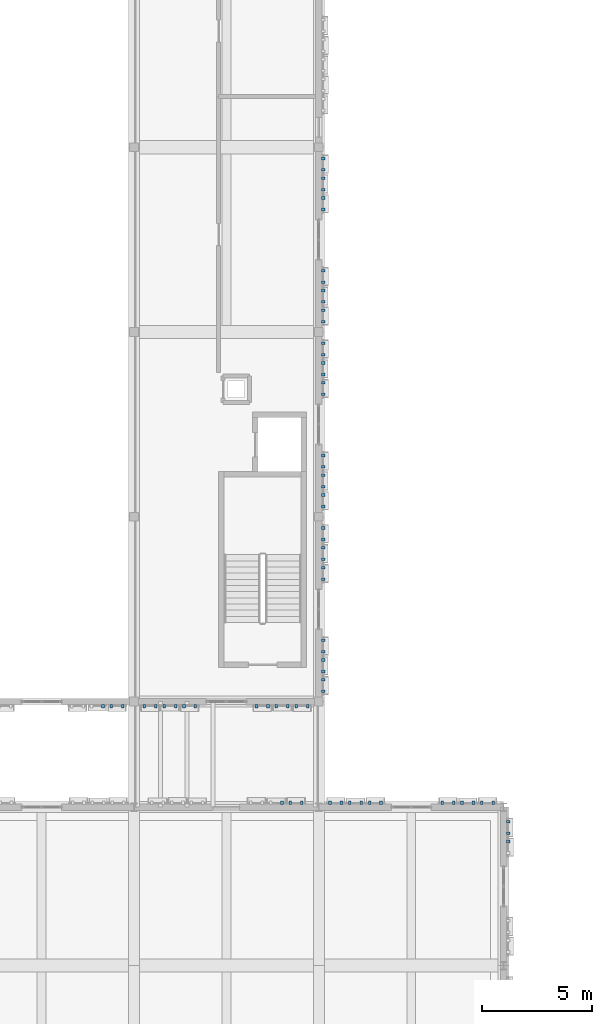
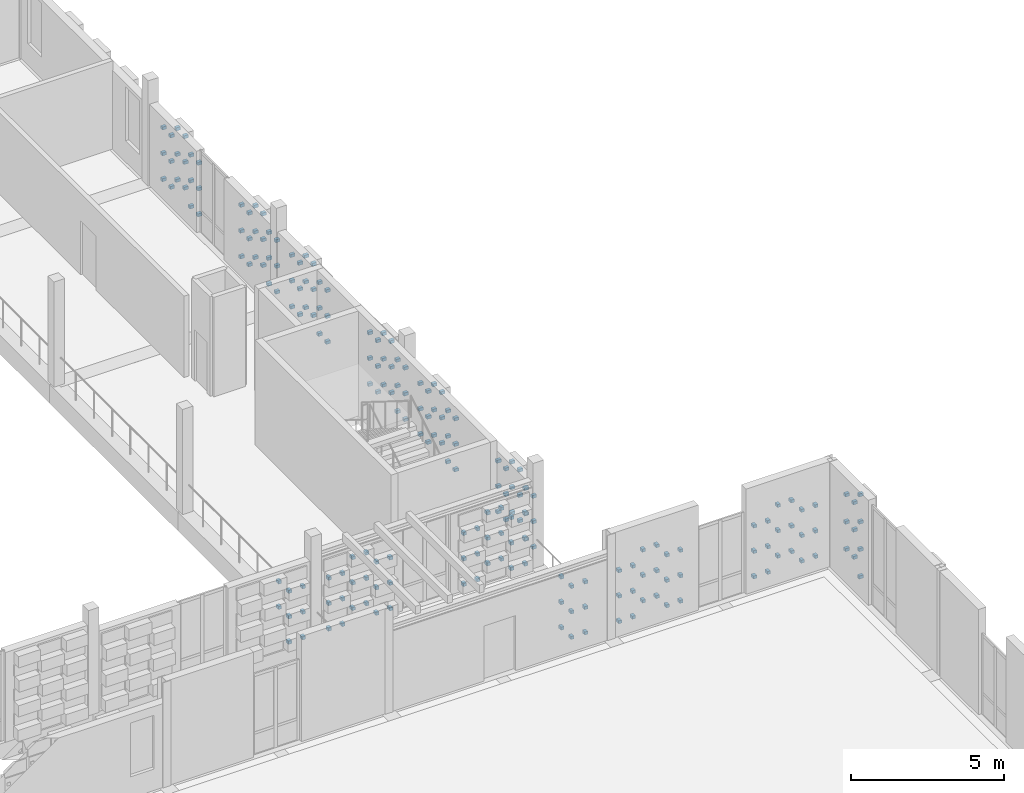
# One storey, part 82 of 99: 207 discrete accessories.
"""IFC4 building model written with IfcOpenShell, lengths in metres."""

from ifc_helpers import new_model, si_unit, direction, frame, origin, origin_2d, place, context, subcontext, project, spatial, rectangle, extrude, material, type_object, element, save


model = new_model("IFC4")

# Units and contexts
model_context = context("Model", 3, precision=1e-05, world=origin(), true_north=direction((0.0, 1.0)))
body_context = subcontext(model_context, "Body", "Model", "MODEL_VIEW")
ifc_project = project(units=[si_unit("LENGTHUNIT", "METRE"), si_unit("AREAUNIT", "SQUARE_METRE"), si_unit("VOLUMEUNIT", "CUBIC_METRE"), si_unit("PLANEANGLEUNIT", "RADIAN"), si_unit("MASSUNIT", "GRAM", prefix="KILO")], contexts=[model_context])

# Site, building, storey
site_placement = place(None, origin())
site = spatial("IfcSite", under=ifc_project, at=site_placement, CompositionType="ELEMENT")
building_placement = place(site_placement, origin())
building = spatial("IfcBuilding", under=site, at=building_placement, Name="Kahlenmark Community Centre", CompositionType="ELEMENT")
storey_placement = place(building_placement, frame((0.0, 0.0, 5.39990234375)))
storey = spatial("IfcBuildingStorey", under=building, at=storey_placement, Name="L01", CompositionType="ELEMENT", Elevation=5.39990234375)

# Discrete accessories
ifc_material = material(Name="Stainless steel 1.4401 rainscreen bracket", Category="steel")
discrete_accessory_type = type_object("IfcDiscreteAccessoryType", Name="DAT-BRACKET-TC", PredefinedType="BRACKET", material=ifc_material)
for number, where, z_axis, x_axis, name in (
    (1, (36.830078125, 37.81005859375, 0.27392578125), (0.0, 0.0, 1.0), (-1.0, 0.0, 0.0), "Terracotta cassette bracket 0277.1"),
    (2, (36.31005859375, 37.81005859375, 0.27392578125), (0.0, 0.0, 1.0), (-1.0, 0.0, 0.0), "Terracotta cassette bracket 0277.2"),
    (3, (36.830078125, 37.81005859375, 1.2900390625), (0.0, 0.0, 1.0), (-1.0, 0.0, 0.0), "Terracotta cassette bracket 0279.1"),
    (4, (36.31005859375, 37.81005859375, 1.2900390625), (0.0, 0.0, 1.0), (-1.0, 0.0, 0.0), "Terracotta cassette bracket 0279.2"),
    (5, (36.830078125, 37.81005859375, 2.30615234375), (0.0, 0.0, 1.0), (-1.0, 0.0, 0.0), "Terracotta cassette bracket 0281.1"),
    (6, (36.31005859375, 37.81005859375, 2.30615234375), (0.0, 0.0, 1.0), (-1.0, 0.0, 0.0), "Terracotta cassette bracket 0281.2"),
    (7, (35.929931640625, 37.81005859375, 0.781982421875), (0.0, 0.0, 1.0), (-1.0, 0.0, 0.0), "Terracotta cassette bracket 0284.1"),
    (8, (35.929931640625, 37.81005859375, 1.798095703125), (0.0, 0.0, 1.0), (-1.0, 0.0, 0.0), "Terracotta cassette bracket 0286.1"),
    (9, (35.929931640625, 37.81005859375, 2.81396484375), (0.0, 0.0, 1.0), (-1.0, 0.0, 0.0), "Terracotta cassette bracket 0288.1"),
    (10, (45.530029296875, 37.81005859375, 0.27392578125), (0.0, 0.0, 1.0), (-1.0, 0.0, 0.0), "Terracotta cassette bracket 0313.1"),
    (11, (45.010009765625, 37.81005859375, 0.27392578125), (0.0, 0.0, 1.0), (-1.0, 0.0, 0.0), "Terracotta cassette bracket 0313.2"),
    (12, (45.530029296875, 37.81005859375, 1.2900390625), (0.0, 0.0, 1.0), (-1.0, 0.0, 0.0), "Terracotta cassette bracket 0315.1"),
    (13, (45.010009765625, 37.81005859375, 1.2900390625), (0.0, 0.0, 1.0), (-1.0, 0.0, 0.0), "Terracotta cassette bracket 0315.2"),
    (14, (45.530029296875, 37.81005859375, 2.30615234375), (0.0, 0.0, 1.0), (-1.0, 0.0, 0.0), "Terracotta cassette bracket 0317.1"),
    (15, (45.010009765625, 37.81005859375, 2.30615234375), (0.0, 0.0, 1.0), (-1.0, 0.0, 0.0), "Terracotta cassette bracket 0317.2"),
    (16, (44.6298828125, 37.81005859375, 0.781982421875), (0.0, 0.0, 1.0), (-1.0, 0.0, 0.0), "Terracotta cassette bracket 0320.1"),
    (17, (44.110107421875, 37.81005859375, 0.781982421875), (0.0, 0.0, 1.0), (-1.0, 0.0, 0.0), "Terracotta cassette bracket 0320.2"),
    (18, (44.6298828125, 37.81005859375, 1.798095703125), (0.0, 0.0, 1.0), (-1.0, 0.0, 0.0), "Terracotta cassette bracket 0322.1"),
    (19, (44.110107421875, 37.81005859375, 1.798095703125), (0.0, 0.0, 1.0), (-1.0, 0.0, 0.0), "Terracotta cassette bracket 0322.2"),
    (20, (44.6298828125, 37.81005859375, 2.81396484375), (0.0, 0.0, 1.0), (-1.0, 0.0, 0.0), "Terracotta cassette bracket 0324.1"),
    (21, (44.110107421875, 37.81005859375, 2.81396484375), (0.0, 0.0, 1.0), (-1.0, 0.0, 0.0), "Terracotta cassette bracket 0324.2"),
    (22, (43.72998046875, 37.81005859375, 0.27392578125), (0.0, 0.0, 1.0), (-1.0, 0.0, 0.0), "Terracotta cassette bracket 0325.1"),
    (23, (43.2099609375, 37.81005859375, 0.27392578125), (0.0, 0.0, 1.0), (-1.0, 0.0, 0.0), "Terracotta cassette bracket 0325.2"),
    (24, (43.72998046875, 37.81005859375, 1.2900390625), (0.0, 0.0, 1.0), (-1.0, 0.0, 0.0), "Terracotta cassette bracket 0327.1"),
    (25, (43.2099609375, 37.81005859375, 1.2900390625), (0.0, 0.0, 1.0), (-1.0, 0.0, 0.0), "Terracotta cassette bracket 0327.2"),
    (26, (43.72998046875, 37.81005859375, 2.30615234375), (0.0, 0.0, 1.0), (-1.0, 0.0, 0.0), "Terracotta cassette bracket 0329.1"),
    (27, (43.2099609375, 37.81005859375, 2.30615234375), (0.0, 0.0, 1.0), (-1.0, 0.0, 0.0), "Terracotta cassette bracket 0329.2"),
    (28, (40.429931640625, 37.81005859375, 0.27392578125), (0.0, 0.0, 1.0), (-1.0, 0.0, 0.0), "Terracotta cassette bracket 0331.1"),
    (29, (39.909912109375, 37.81005859375, 0.27392578125), (0.0, 0.0, 1.0), (-1.0, 0.0, 0.0), "Terracotta cassette bracket 0331.2"),
    (30, (40.429931640625, 37.81005859375, 1.2900390625), (0.0, 0.0, 1.0), (-1.0, 0.0, 0.0), "Terracotta cassette bracket 0333.1"),
    (31, (39.909912109375, 37.81005859375, 1.2900390625), (0.0, 0.0, 1.0), (-1.0, 0.0, 0.0), "Terracotta cassette bracket 0333.2"),
    (32, (40.429931640625, 37.81005859375, 2.30615234375), (0.0, 0.0, 1.0), (-1.0, 0.0, 0.0), "Terracotta cassette bracket 0335.1"),
    (33, (39.909912109375, 37.81005859375, 2.30615234375), (0.0, 0.0, 1.0), (-1.0, 0.0, 0.0), "Terracotta cassette bracket 0335.2"),
    (34, (39.530029296875, 37.81005859375, 0.781982421875), (0.0, 0.0, 1.0), (-1.0, 0.0, 0.0), "Terracotta cassette bracket 0338.1"),
    (35, (39.010009765625, 37.81005859375, 0.781982421875), (0.0, 0.0, 1.0), (-1.0, 0.0, 0.0), "Terracotta cassette bracket 0338.2"),
    (36, (39.530029296875, 37.81005859375, 1.798095703125), (0.0, 0.0, 1.0), (-1.0, 0.0, 0.0), "Terracotta cassette bracket 0340.1"),
    (37, (39.010009765625, 37.81005859375, 1.798095703125), (0.0, 0.0, 1.0), (-1.0, 0.0, 0.0), "Terracotta cassette bracket 0340.2"),
    (38, (39.530029296875, 37.81005859375, 2.81396484375), (0.0, 0.0, 1.0), (-1.0, 0.0, 0.0), "Terracotta cassette bracket 0342.1"),
    (39, (39.010009765625, 37.81005859375, 2.81396484375), (0.0, 0.0, 1.0), (-1.0, 0.0, 0.0), "Terracotta cassette bracket 0342.2"),
    (40, (38.6298828125, 37.81005859375, 0.27392578125), (0.0, 0.0, 1.0), (-1.0, 0.0, 0.0), "Terracotta cassette bracket 0343.1"),
    (41, (38.110107421875, 37.81005859375, 0.27392578125), (0.0, 0.0, 1.0), (-1.0, 0.0, 0.0), "Terracotta cassette bracket 0343.2"),
    (42, (38.6298828125, 37.81005859375, 1.2900390625), (0.0, 0.0, 1.0), (-1.0, 0.0, 0.0), "Terracotta cassette bracket 0345.1"),
    (43, (38.110107421875, 37.81005859375, 1.2900390625), (0.0, 0.0, 1.0), (-1.0, 0.0, 0.0), "Terracotta cassette bracket 0345.2"),
    (44, (38.6298828125, 37.81005859375, 2.30615234375), (0.0, 0.0, 1.0), (-1.0, 0.0, 0.0), "Terracotta cassette bracket 0347.1"),
    (45, (38.110107421875, 37.81005859375, 2.30615234375), (0.0, 0.0, 1.0), (-1.0, 0.0, 0.0), "Terracotta cassette bracket 0347.2"),
    (46, (46.2099609375, 36.0400390625, 0.29296875), (0.0, 0.0, 1.0), (0.0, 1.0, 0.0), "Terracotta cassette bracket 0471.2"),
    (47, (46.2099609375, 36.0400390625, 1.385009765625), (0.0, 0.0, 1.0), (0.0, 1.0, 0.0), "Terracotta cassette bracket 0473.2"),
    (48, (46.2099609375, 36.0400390625, 2.47705078125), (0.0, 0.0, 1.0), (0.0, 1.0, 0.0), "Terracotta cassette bracket 0475.2"),
    (49, (46.2099609375, 36.0400390625, 3.569091796875), (0.0, 0.0, 1.0), (0.0, 1.0, 0.0), "Terracotta cassette bracket 0477.2"),
    (50, (46.2099609375, 36.419921875, 0.839111328125), (0.0, 0.0, 1.0), (0.0, 1.0, 0.0), "Terracotta cassette bracket 0479.1"),
    (51, (46.2099609375, 36.93994140625, 0.839111328125), (0.0, 0.0, 1.0), (0.0, 1.0, 0.0), "Terracotta cassette bracket 0479.2"),
    (52, (46.2099609375, 36.419921875, 1.93115234375), (0.0, 0.0, 1.0), (0.0, 1.0, 0.0), "Terracotta cassette bracket 0481.1"),
    (53, (46.2099609375, 36.93994140625, 1.93115234375), (0.0, 0.0, 1.0), (0.0, 1.0, 0.0), "Terracotta cassette bracket 0481.2"),
    (54, (46.2099609375, 36.419921875, 3.02294921875), (0.0, 0.0, 1.0), (0.0, 1.0, 0.0), "Terracotta cassette bracket 0483.1"),
    (55, (46.2099609375, 36.93994140625, 3.02294921875), (0.0, 0.0, 1.0), (0.0, 1.0, 0.0), "Terracotta cassette bracket 0483.2"),
    (56, (27.7900390625, 42.18994140625, 1.798095703125), (0.0, 0.0, 1.0), (1.0, 0.0, 0.0), "Terracotta cassette bracket 0596.2"),
    (57, (27.7900390625, 42.18994140625, 2.81396484375), (0.0, 0.0, 1.0), (1.0, 0.0, 0.0), "Terracotta cassette bracket 0598.2"),
    (58, (28.169921875, 42.18994140625, 0.27392578125), (0.0, 0.0, 1.0), (1.0, 0.0, 0.0), "Terracotta cassette bracket 0599.1"),
    (59, (28.68994140625, 42.18994140625, 0.27392578125), (0.0, 0.0, 1.0), (1.0, 0.0, 0.0), "Terracotta cassette bracket 0599.2"),
    (60, (28.169921875, 42.18994140625, 1.2900390625), (0.0, 0.0, 1.0), (1.0, 0.0, 0.0), "Terracotta cassette bracket 0601.1"),
    (61, (28.68994140625, 42.18994140625, 1.2900390625), (0.0, 0.0, 1.0), (1.0, 0.0, 0.0), "Terracotta cassette bracket 0601.2"),
    (62, (28.169921875, 42.18994140625, 2.30615234375), (0.0, 0.0, 1.0), (1.0, 0.0, 0.0), "Terracotta cassette bracket 0603.1"),
    (63, (28.68994140625, 42.18994140625, 2.30615234375), (0.0, 0.0, 1.0), (1.0, 0.0, 0.0), "Terracotta cassette bracket 0603.2"),
    (64, (29.669921875, 42.18994140625, 0.27392578125), (0.0, 0.0, 1.0), (1.0, 0.0, 0.0), "Terracotta cassette bracket 0605.1"),
    (65, (30.18994140625, 42.18994140625, 0.27392578125), (0.0, 0.0, 1.0), (1.0, 0.0, 0.0), "Terracotta cassette bracket 0605.2"),
    (66, (29.669921875, 42.18994140625, 1.2900390625), (0.0, 0.0, 1.0), (1.0, 0.0, 0.0), "Terracotta cassette bracket 0607.1"),
    (67, (30.18994140625, 42.18994140625, 1.2900390625), (0.0, 0.0, 1.0), (1.0, 0.0, 0.0), "Terracotta cassette bracket 0607.2"),
    (68, (29.669921875, 42.18994140625, 2.30615234375), (0.0, 0.0, 1.0), (1.0, 0.0, 0.0), "Terracotta cassette bracket 0609.1"),
    (69, (30.18994140625, 42.18994140625, 2.30615234375), (0.0, 0.0, 1.0), (1.0, 0.0, 0.0), "Terracotta cassette bracket 0609.2"),
    (70, (30.570068359375, 42.18994140625, 0.781982421875), (0.0, 0.0, 1.0), (1.0, 0.0, 0.0), "Terracotta cassette bracket 0612.1"),
    (71, (31.090087890625, 42.18994140625, 0.781982421875), (0.0, 0.0, 1.0), (1.0, 0.0, 0.0), "Terracotta cassette bracket 0612.2"),
    (72, (30.570068359375, 42.18994140625, 1.798095703125), (0.0, 0.0, 1.0), (1.0, 0.0, 0.0), "Terracotta cassette bracket 0614.1"),
    (73, (31.090087890625, 42.18994140625, 1.798095703125), (0.0, 0.0, 1.0), (1.0, 0.0, 0.0), "Terracotta cassette bracket 0614.2"),
    (74, (30.570068359375, 42.18994140625, 2.81396484375), (0.0, 0.0, 1.0), (1.0, 0.0, 0.0), "Terracotta cassette bracket 0616.1"),
    (75, (31.090087890625, 42.18994140625, 2.81396484375), (0.0, 0.0, 1.0), (1.0, 0.0, 0.0), "Terracotta cassette bracket 0616.2"),
    (76, (31.469970703125, 42.18994140625, 0.27392578125), (0.0, 0.0, 1.0), (1.0, 0.0, 0.0), "Terracotta cassette bracket 0617.1"),
    (77, (31.989990234375, 42.18994140625, 0.27392578125), (0.0, 0.0, 1.0), (1.0, 0.0, 0.0), "Terracotta cassette bracket 0617.2"),
    (78, (31.469970703125, 42.18994140625, 1.2900390625), (0.0, 0.0, 1.0), (1.0, 0.0, 0.0), "Terracotta cassette bracket 0619.1"),
    (79, (31.989990234375, 42.18994140625, 1.2900390625), (0.0, 0.0, 1.0), (1.0, 0.0, 0.0), "Terracotta cassette bracket 0619.2"),
    (80, (31.469970703125, 42.18994140625, 2.30615234375), (0.0, 0.0, 1.0), (1.0, 0.0, 0.0), "Terracotta cassette bracket 0621.1"),
    (81, (31.989990234375, 42.18994140625, 2.30615234375), (0.0, 0.0, 1.0), (1.0, 0.0, 0.0), "Terracotta cassette bracket 0621.2"),
    (82, (34.77001953125, 42.18994140625, 0.27392578125), (0.0, 0.0, 1.0), (1.0, 0.0, 0.0), "Terracotta cassette bracket 0623.1"),
    (83, (35.2900390625, 42.18994140625, 0.27392578125), (0.0, 0.0, 1.0), (1.0, 0.0, 0.0), "Terracotta cassette bracket 0623.2"),
    (84, (34.77001953125, 42.18994140625, 1.2900390625), (0.0, 0.0, 1.0), (1.0, 0.0, 0.0), "Terracotta cassette bracket 0625.1"),
    (85, (35.2900390625, 42.18994140625, 1.2900390625), (0.0, 0.0, 1.0), (1.0, 0.0, 0.0), "Terracotta cassette bracket 0625.2"),
    (86, (34.77001953125, 42.18994140625, 2.30615234375), (0.0, 0.0, 1.0), (1.0, 0.0, 0.0), "Terracotta cassette bracket 0627.1"),
    (87, (35.2900390625, 42.18994140625, 2.30615234375), (0.0, 0.0, 1.0), (1.0, 0.0, 0.0), "Terracotta cassette bracket 0627.2"),
    (88, (35.669921875, 42.18994140625, 0.781982421875), (0.0, 0.0, 1.0), (1.0, 0.0, 0.0), "Terracotta cassette bracket 0630.1"),
    (89, (36.18994140625, 42.18994140625, 0.781982421875), (0.0, 0.0, 1.0), (1.0, 0.0, 0.0), "Terracotta cassette bracket 0630.2"),
    (90, (35.669921875, 42.18994140625, 1.798095703125), (0.0, 0.0, 1.0), (1.0, 0.0, 0.0), "Terracotta cassette bracket 0632.1"),
    (91, (36.18994140625, 42.18994140625, 1.798095703125), (0.0, 0.0, 1.0), (1.0, 0.0, 0.0), "Terracotta cassette bracket 0632.2"),
    (92, (35.669921875, 42.18994140625, 2.81396484375), (0.0, 0.0, 1.0), (1.0, 0.0, 0.0), "Terracotta cassette bracket 0634.1"),
    (93, (36.18994140625, 42.18994140625, 2.81396484375), (0.0, 0.0, 1.0), (1.0, 0.0, 0.0), "Terracotta cassette bracket 0634.2"),
    (94, (36.570068359375, 42.18994140625, 0.27392578125), (0.0, 0.0, 1.0), (1.0, 0.0, 0.0), "Terracotta cassette bracket 0635.1"),
    (95, (37.090087890625, 42.18994140625, 0.27392578125), (0.0, 0.0, 1.0), (1.0, 0.0, 0.0), "Terracotta cassette bracket 0635.2"),
    (96, (36.570068359375, 42.18994140625, 1.2900390625), (0.0, 0.0, 1.0), (1.0, 0.0, 0.0), "Terracotta cassette bracket 0637.1"),
    (97, (37.090087890625, 42.18994140625, 1.2900390625), (0.0, 0.0, 1.0), (1.0, 0.0, 0.0), "Terracotta cassette bracket 0637.2"),
    (98, (36.570068359375, 42.18994140625, 2.30615234375), (0.0, 0.0, 1.0), (1.0, 0.0, 0.0), "Terracotta cassette bracket 0639.1"),
    (99, (37.090087890625, 42.18994140625, 2.30615234375), (0.0, 0.0, 1.0), (1.0, 0.0, 0.0), "Terracotta cassette bracket 0639.2"),
    (100, (37.81005859375, 42.8701171875, 0.27392578125), (0.0, 0.0, 1.0), (0.0, 1.0, 0.0), "Terracotta cassette bracket 0797.1"),
    (101, (37.81005859375, 43.389892578125, 0.27392578125), (0.0, 0.0, 1.0), (0.0, 1.0, 0.0), "Terracotta cassette bracket 0797.2"),
    (102, (37.81005859375, 42.8701171875, 1.2900390625), (0.0, 0.0, 1.0), (0.0, 1.0, 0.0), "Terracotta cassette bracket 0799.1"),
    (103, (37.81005859375, 43.389892578125, 1.2900390625), (0.0, 0.0, 1.0), (0.0, 1.0, 0.0), "Terracotta cassette bracket 0799.2"),
    (104, (37.81005859375, 42.8701171875, 2.30615234375), (0.0, 0.0, 1.0), (0.0, 1.0, 0.0), "Terracotta cassette bracket 0801.1"),
    (105, (37.81005859375, 43.389892578125, 2.30615234375), (0.0, 0.0, 1.0), (0.0, 1.0, 0.0), "Terracotta cassette bracket 0801.2"),
    (106, (37.81005859375, 43.77001953125, 0.781982421875), (0.0, 0.0, 1.0), (0.0, 1.0, 0.0), "Terracotta cassette bracket 0804.1"),
    (107, (37.81005859375, 44.2900390625, 0.781982421875), (0.0, 0.0, 1.0), (0.0, 1.0, 0.0), "Terracotta cassette bracket 0804.2"),
    (108, (37.81005859375, 43.77001953125, 1.798095703125), (0.0, 0.0, 1.0), (0.0, 1.0, 0.0), "Terracotta cassette bracket 0806.1"),
    (109, (37.81005859375, 44.2900390625, 1.798095703125), (0.0, 0.0, 1.0), (0.0, 1.0, 0.0), "Terracotta cassette bracket 0806.2"),
    (110, (37.81005859375, 43.77001953125, 2.81396484375), (0.0, 0.0, 1.0), (0.0, 1.0, 0.0), "Terracotta cassette bracket 0808.1"),
    (111, (37.81005859375, 44.2900390625, 2.81396484375), (0.0, 0.0, 1.0), (0.0, 1.0, 0.0), "Terracotta cassette bracket 0808.2"),
    (112, (37.81005859375, 44.669921875, 0.27392578125), (0.0, 0.0, 1.0), (0.0, 1.0, 0.0), "Terracotta cassette bracket 0809.1"),
    (113, (37.81005859375, 45.18994140625, 0.27392578125), (0.0, 0.0, 1.0), (0.0, 1.0, 0.0), "Terracotta cassette bracket 0809.2"),
    (114, (37.81005859375, 44.669921875, 1.2900390625), (0.0, 0.0, 1.0), (0.0, 1.0, 0.0), "Terracotta cassette bracket 0811.1"),
    (115, (37.81005859375, 45.18994140625, 1.2900390625), (0.0, 0.0, 1.0), (0.0, 1.0, 0.0), "Terracotta cassette bracket 0811.2"),
    (116, (37.81005859375, 44.669921875, 2.30615234375), (0.0, 0.0, 1.0), (0.0, 1.0, 0.0), "Terracotta cassette bracket 0813.1"),
    (117, (37.81005859375, 45.18994140625, 2.30615234375), (0.0, 0.0, 1.0), (0.0, 1.0, 0.0), "Terracotta cassette bracket 0813.2"),
    (118, (37.81005859375, 47.969970703125, 0.27392578125), (0.0, 0.0, 1.0), (0.0, 1.0, 0.0), "Terracotta cassette bracket 0815.1"),
    (119, (37.81005859375, 48.489990234375, 0.27392578125), (0.0, 0.0, 1.0), (0.0, 1.0, 0.0), "Terracotta cassette bracket 0815.2"),
    (120, (37.81005859375, 47.969970703125, 1.2900390625), (0.0, 0.0, 1.0), (0.0, 1.0, 0.0), "Terracotta cassette bracket 0817.1"),
    (121, (37.81005859375, 48.489990234375, 1.2900390625), (0.0, 0.0, 1.0), (0.0, 1.0, 0.0), "Terracotta cassette bracket 0817.2"),
    (122, (37.81005859375, 47.969970703125, 2.30615234375), (0.0, 0.0, 1.0), (0.0, 1.0, 0.0), "Terracotta cassette bracket 0819.1"),
    (123, (37.81005859375, 48.489990234375, 2.30615234375), (0.0, 0.0, 1.0), (0.0, 1.0, 0.0), "Terracotta cassette bracket 0819.2"),
    (124, (37.81005859375, 48.8701171875, 0.781982421875), (0.0, 0.0, 1.0), (0.0, 1.0, 0.0), "Terracotta cassette bracket 0822.1"),
    (125, (37.81005859375, 49.389892578125, 0.781982421875), (0.0, 0.0, 1.0), (0.0, 1.0, 0.0), "Terracotta cassette bracket 0822.2"),
    (126, (37.81005859375, 48.8701171875, 1.798095703125), (0.0, 0.0, 1.0), (0.0, 1.0, 0.0), "Terracotta cassette bracket 0824.1"),
    (127, (37.81005859375, 49.389892578125, 1.798095703125), (0.0, 0.0, 1.0), (0.0, 1.0, 0.0), "Terracotta cassette bracket 0824.2"),
    (128, (37.81005859375, 48.8701171875, 2.81396484375), (0.0, 0.0, 1.0), (0.0, 1.0, 0.0), "Terracotta cassette bracket 0826.1"),
    (129, (37.81005859375, 49.389892578125, 2.81396484375), (0.0, 0.0, 1.0), (0.0, 1.0, 0.0), "Terracotta cassette bracket 0826.2"),
    (130, (37.81005859375, 49.77001953125, 0.27392578125), (0.0, 0.0, 1.0), (0.0, 1.0, 0.0), "Terracotta cassette bracket 0827.1"),
    (131, (37.81005859375, 50.2900390625, 0.27392578125), (0.0, 0.0, 1.0), (0.0, 1.0, 0.0), "Terracotta cassette bracket 0827.2"),
    (132, (37.81005859375, 49.77001953125, 1.2900390625), (0.0, 0.0, 1.0), (0.0, 1.0, 0.0), "Terracotta cassette bracket 0829.1"),
    (133, (37.81005859375, 50.2900390625, 1.2900390625), (0.0, 0.0, 1.0), (0.0, 1.0, 0.0), "Terracotta cassette bracket 0829.2"),
    (134, (37.81005859375, 49.77001953125, 2.30615234375), (0.0, 0.0, 1.0), (0.0, 1.0, 0.0), "Terracotta cassette bracket 0831.1"),
    (135, (37.81005859375, 50.2900390625, 2.30615234375), (0.0, 0.0, 1.0), (0.0, 1.0, 0.0), "Terracotta cassette bracket 0831.2"),
    (136, (37.81005859375, 51.27001953125, 0.277587890625), (0.0, 0.0, 1.0), (0.0, 1.0, 0.0), "Terracotta cassette bracket 0833.1"),
    (137, (37.81005859375, 51.7900390625, 0.277587890625), (0.0, 0.0, 1.0), (0.0, 1.0, 0.0), "Terracotta cassette bracket 0833.2"),
    (138, (37.81005859375, 51.27001953125, 1.3076171875), (0.0, 0.0, 1.0), (0.0, 1.0, 0.0), "Terracotta cassette bracket 0835.1"),
    (139, (37.81005859375, 51.7900390625, 1.3076171875), (0.0, 0.0, 1.0), (0.0, 1.0, 0.0), "Terracotta cassette bracket 0835.2"),
    (140, (37.81005859375, 51.27001953125, 2.337646484375), (0.0, 0.0, 1.0), (0.0, 1.0, 0.0), "Terracotta cassette bracket 0837.1"),
    (141, (37.81005859375, 51.7900390625, 2.337646484375), (0.0, 0.0, 1.0), (0.0, 1.0, 0.0), "Terracotta cassette bracket 0837.2"),
    (142, (37.81005859375, 52.169921875, 0.79248046875), (0.0, 0.0, 1.0), (0.0, 1.0, 0.0), "Terracotta cassette bracket 0840.1"),
    (143, (37.81005859375, 52.68994140625, 0.79248046875), (0.0, 0.0, 1.0), (0.0, 1.0, 0.0), "Terracotta cassette bracket 0840.2"),
    (144, (37.81005859375, 52.169921875, 1.822509765625), (0.0, 0.0, 1.0), (0.0, 1.0, 0.0), "Terracotta cassette bracket 0842.1"),
    (145, (37.81005859375, 52.68994140625, 1.822509765625), (0.0, 0.0, 1.0), (0.0, 1.0, 0.0), "Terracotta cassette bracket 0842.2"),
    (146, (37.81005859375, 52.169921875, 2.8525390625), (0.0, 0.0, 1.0), (0.0, 1.0, 0.0), "Terracotta cassette bracket 0844.1"),
    (147, (37.81005859375, 52.68994140625, 2.8525390625), (0.0, 0.0, 1.0), (0.0, 1.0, 0.0), "Terracotta cassette bracket 0844.2"),
    (148, (37.81005859375, 53.070068359375, 0.277587890625), (0.0, 0.0, 1.0), (0.0, 1.0, 0.0), "Terracotta cassette bracket 0845.1"),
    (149, (37.81005859375, 53.590087890625, 0.277587890625), (0.0, 0.0, 1.0), (0.0, 1.0, 0.0), "Terracotta cassette bracket 0845.2"),
    (150, (37.81005859375, 53.070068359375, 1.3076171875), (0.0, 0.0, 1.0), (0.0, 1.0, 0.0), "Terracotta cassette bracket 0847.1"),
    (151, (37.81005859375, 53.590087890625, 1.3076171875), (0.0, 0.0, 1.0), (0.0, 1.0, 0.0), "Terracotta cassette bracket 0847.2"),
    (152, (37.81005859375, 53.070068359375, 2.337646484375), (0.0, 0.0, 1.0), (0.0, 1.0, 0.0), "Terracotta cassette bracket 0849.1"),
    (153, (37.81005859375, 53.590087890625, 2.337646484375), (0.0, 0.0, 1.0), (0.0, 1.0, 0.0), "Terracotta cassette bracket 0849.2"),
    (154, (37.81005859375, 56.3701171875, 0.277587890625), (0.0, 0.0, 1.0), (0.0, 1.0, 0.0), "Terracotta cassette bracket 0851.1"),
    (155, (37.81005859375, 56.889892578125, 0.277587890625), (0.0, 0.0, 1.0), (0.0, 1.0, 0.0), "Terracotta cassette bracket 0851.2"),
    (156, (37.81005859375, 56.3701171875, 1.3076171875), (0.0, 0.0, 1.0), (0.0, 1.0, 0.0), "Terracotta cassette bracket 0853.1"),
    (157, (37.81005859375, 56.889892578125, 1.3076171875), (0.0, 0.0, 1.0), (0.0, 1.0, 0.0), "Terracotta cassette bracket 0853.2"),
    (158, (37.81005859375, 56.3701171875, 2.337646484375), (0.0, 0.0, 1.0), (0.0, 1.0, 0.0), "Terracotta cassette bracket 0855.1"),
    (159, (37.81005859375, 56.889892578125, 2.337646484375), (0.0, 0.0, 1.0), (0.0, 1.0, 0.0), "Terracotta cassette bracket 0855.2"),
    (160, (37.81005859375, 57.27001953125, 0.79248046875), (0.0, 0.0, 1.0), (0.0, 1.0, 0.0), "Terracotta cassette bracket 0858.1"),
    (161, (37.81005859375, 57.7900390625, 0.79248046875), (0.0, 0.0, 1.0), (0.0, 1.0, 0.0), "Terracotta cassette bracket 0858.2"),
    (162, (37.81005859375, 57.27001953125, 1.822509765625), (0.0, 0.0, 1.0), (0.0, 1.0, 0.0), "Terracotta cassette bracket 0860.1"),
    (163, (37.81005859375, 57.7900390625, 1.822509765625), (0.0, 0.0, 1.0), (0.0, 1.0, 0.0), "Terracotta cassette bracket 0860.2"),
    (164, (37.81005859375, 57.27001953125, 2.8525390625), (0.0, 0.0, 1.0), (0.0, 1.0, 0.0), "Terracotta cassette bracket 0862.1"),
    (165, (37.81005859375, 57.7900390625, 2.8525390625), (0.0, 0.0, 1.0), (0.0, 1.0, 0.0), "Terracotta cassette bracket 0862.2"),
    (166, (37.81005859375, 58.169921875, 0.277587890625), (0.0, 0.0, 1.0), (0.0, 1.0, 0.0), "Terracotta cassette bracket 0863.1"),
    (167, (37.81005859375, 58.68994140625, 0.277587890625), (0.0, 0.0, 1.0), (0.0, 1.0, 0.0), "Terracotta cassette bracket 0863.2"),
    (168, (37.81005859375, 58.169921875, 1.3076171875), (0.0, 0.0, 1.0), (0.0, 1.0, 0.0), "Terracotta cassette bracket 0865.1"),
    (169, (37.81005859375, 58.68994140625, 1.3076171875), (0.0, 0.0, 1.0), (0.0, 1.0, 0.0), "Terracotta cassette bracket 0865.2"),
    (170, (37.81005859375, 58.169921875, 2.337646484375), (0.0, 0.0, 1.0), (0.0, 1.0, 0.0), "Terracotta cassette bracket 0867.1"),
    (171, (37.81005859375, 58.68994140625, 2.337646484375), (0.0, 0.0, 1.0), (0.0, 1.0, 0.0), "Terracotta cassette bracket 0867.2"),
    (172, (37.81005859375, 59.669921875, 0.277587890625), (0.0, 0.0, 1.0), (0.0, 1.0, 0.0), "Terracotta cassette bracket 0869.1"),
    (173, (37.81005859375, 60.18994140625, 0.277587890625), (0.0, 0.0, 1.0), (0.0, 1.0, 0.0), "Terracotta cassette bracket 0869.2"),
    (174, (37.81005859375, 59.669921875, 1.3076171875), (0.0, 0.0, 1.0), (0.0, 1.0, 0.0), "Terracotta cassette bracket 0871.1"),
    (175, (37.81005859375, 60.18994140625, 1.3076171875), (0.0, 0.0, 1.0), (0.0, 1.0, 0.0), "Terracotta cassette bracket 0871.2"),
    (176, (37.81005859375, 59.669921875, 2.337646484375), (0.0, 0.0, 1.0), (0.0, 1.0, 0.0), "Terracotta cassette bracket 0873.1"),
    (177, (37.81005859375, 60.18994140625, 2.337646484375), (0.0, 0.0, 1.0), (0.0, 1.0, 0.0), "Terracotta cassette bracket 0873.2"),
    (178, (37.81005859375, 60.570068359375, 0.79248046875), (0.0, 0.0, 1.0), (0.0, 1.0, 0.0), "Terracotta cassette bracket 0876.1"),
    (179, (37.81005859375, 61.090087890625, 0.79248046875), (0.0, 0.0, 1.0), (0.0, 1.0, 0.0), "Terracotta cassette bracket 0876.2"),
    (180, (37.81005859375, 60.570068359375, 1.822509765625), (0.0, 0.0, 1.0), (0.0, 1.0, 0.0), "Terracotta cassette bracket 0878.1"),
    (181, (37.81005859375, 61.090087890625, 1.822509765625), (0.0, 0.0, 1.0), (0.0, 1.0, 0.0), "Terracotta cassette bracket 0878.2"),
    (182, (37.81005859375, 60.570068359375, 2.8525390625), (0.0, 0.0, 1.0), (0.0, 1.0, 0.0), "Terracotta cassette bracket 0880.1"),
    (183, (37.81005859375, 61.090087890625, 2.8525390625), (0.0, 0.0, 1.0), (0.0, 1.0, 0.0), "Terracotta cassette bracket 0880.2"),
    (184, (37.81005859375, 61.469970703125, 0.277587890625), (0.0, 0.0, 1.0), (0.0, 1.0, 0.0), "Terracotta cassette bracket 0881.1"),
    (185, (37.81005859375, 61.989990234375, 0.277587890625), (0.0, 0.0, 1.0), (0.0, 1.0, 0.0), "Terracotta cassette bracket 0881.2"),
    (186, (37.81005859375, 61.469970703125, 1.3076171875), (0.0, 0.0, 1.0), (0.0, 1.0, 0.0), "Terracotta cassette bracket 0883.1"),
    (187, (37.81005859375, 61.989990234375, 1.3076171875), (0.0, 0.0, 1.0), (0.0, 1.0, 0.0), "Terracotta cassette bracket 0883.2"),
    (188, (37.81005859375, 61.469970703125, 2.337646484375), (0.0, 0.0, 1.0), (0.0, 1.0, 0.0), "Terracotta cassette bracket 0885.1"),
    (189, (37.81005859375, 61.989990234375, 2.337646484375), (0.0, 0.0, 1.0), (0.0, 1.0, 0.0), "Terracotta cassette bracket 0885.2"),
    (190, (37.81005859375, 64.77001953125, 0.277587890625), (0.0, 0.0, 1.0), (0.0, 1.0, 0.0), "Terracotta cassette bracket 0887.1"),
    (191, (37.81005859375, 65.2900390625, 0.277587890625), (0.0, 0.0, 1.0), (0.0, 1.0, 0.0), "Terracotta cassette bracket 0887.2"),
    (192, (37.81005859375, 64.77001953125, 1.3076171875), (0.0, 0.0, 1.0), (0.0, 1.0, 0.0), "Terracotta cassette bracket 0889.1"),
    (193, (37.81005859375, 65.2900390625, 1.3076171875), (0.0, 0.0, 1.0), (0.0, 1.0, 0.0), "Terracotta cassette bracket 0889.2"),
    (194, (37.81005859375, 64.77001953125, 2.337646484375), (0.0, 0.0, 1.0), (0.0, 1.0, 0.0), "Terracotta cassette bracket 0891.1"),
    (195, (37.81005859375, 65.2900390625, 2.337646484375), (0.0, 0.0, 1.0), (0.0, 1.0, 0.0), "Terracotta cassette bracket 0891.2"),
    (196, (37.81005859375, 65.669921875, 0.79248046875), (0.0, 0.0, 1.0), (0.0, 1.0, 0.0), "Terracotta cassette bracket 0894.1"),
    (197, (37.81005859375, 66.18994140625, 0.79248046875), (0.0, 0.0, 1.0), (0.0, 1.0, 0.0), "Terracotta cassette bracket 0894.2"),
    (198, (37.81005859375, 65.669921875, 1.822509765625), (0.0, 0.0, 1.0), (0.0, 1.0, 0.0), "Terracotta cassette bracket 0896.1"),
    (199, (37.81005859375, 66.18994140625, 1.822509765625), (0.0, 0.0, 1.0), (0.0, 1.0, 0.0), "Terracotta cassette bracket 0896.2"),
    (200, (37.81005859375, 65.669921875, 2.8525390625), (0.0, 0.0, 1.0), (0.0, 1.0, 0.0), "Terracotta cassette bracket 0898.1"),
    (201, (37.81005859375, 66.18994140625, 2.8525390625), (0.0, 0.0, 1.0), (0.0, 1.0, 0.0), "Terracotta cassette bracket 0898.2"),
    (202, (37.81005859375, 66.570068359375, 0.277587890625), (0.0, 0.0, 1.0), (0.0, 1.0, 0.0), "Terracotta cassette bracket 0899.1"),
    (203, (37.81005859375, 67.090087890625, 0.277587890625), (0.0, 0.0, 1.0), (0.0, 1.0, 0.0), "Terracotta cassette bracket 0899.2"),
    (204, (37.81005859375, 66.570068359375, 1.3076171875), (0.0, 0.0, 1.0), (0.0, 1.0, 0.0), "Terracotta cassette bracket 0901.1"),
    (205, (37.81005859375, 67.090087890625, 1.3076171875), (0.0, 0.0, 1.0), (0.0, 1.0, 0.0), "Terracotta cassette bracket 0901.2"),
    (206, (37.81005859375, 66.570068359375, 2.337646484375), (0.0, 0.0, 1.0), (0.0, 1.0, 0.0), "Terracotta cassette bracket 0903.1"),
    (207, (37.81005859375, 67.090087890625, 2.337646484375), (0.0, 0.0, 1.0), (0.0, 1.0, 0.0), "Terracotta cassette bracket 0903.2"),
):
    element("IfcDiscreteAccessory", number, at=place(storey_placement, frame(where, z_axis=z_axis, x_axis=x_axis)), inside=storey, type_object=discrete_accessory_type, Name=name, PredefinedType="BRACKET", context=body_context, shape_type="SweptSolid", body=[
        extrude(rectangle(XDim=0.1201171875, YDim=0.159912109375, at=origin_2d()), origin(), (0.0, 0.0, 1.0), 0.1201171875),
    ])

save(model, "model.ifc")
